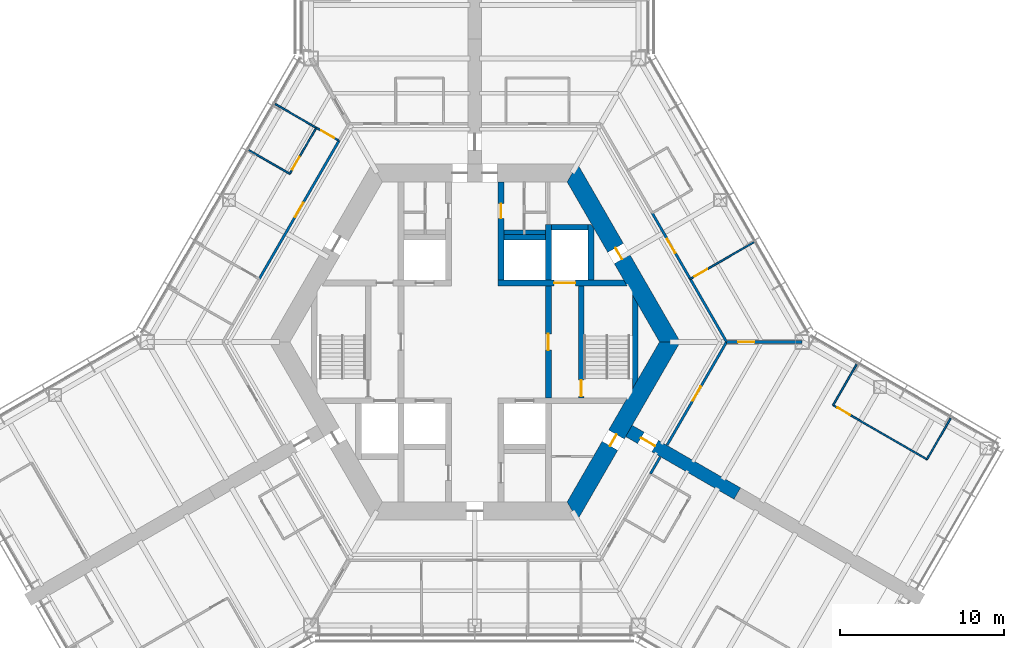
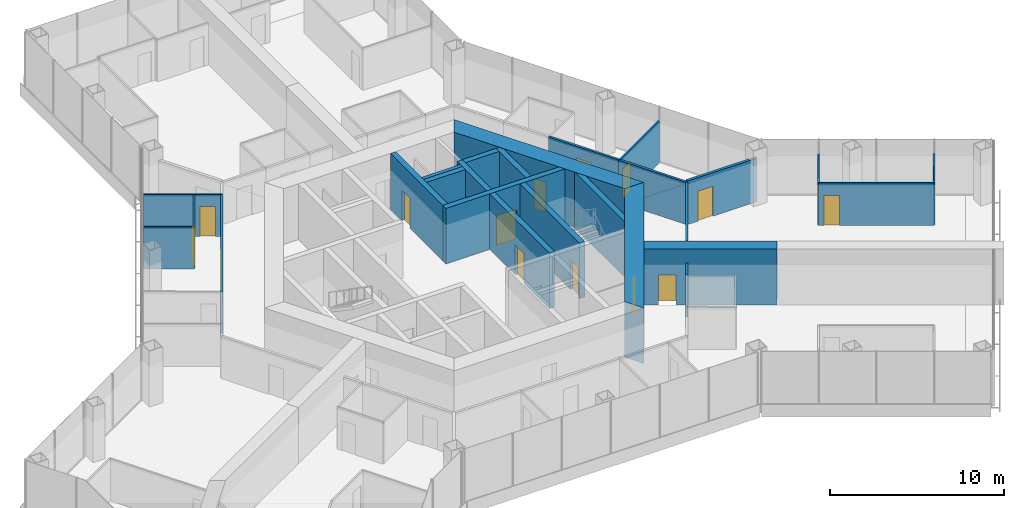
# One storey, part 14 of 19: 27 walls, 15 doors, 15 openings.
"""IFC4 building model written with IfcOpenShell, lengths in metres."""

import ifcopenshell
import ifcopenshell.guid

model = None  # the IFC model being written
_history = None  # IfcOwnerHistory: only IFC2X3 demands one
_inside = {}  # id of a spatial element -> (the spatial element, [elements in it])
_under = {}  # id of a project, library or spatial element -> (it, [spatial elements below it])
_declared = {}  # id of a project -> (the project, [libraries it declares])
_typed = {}  # id of a type object -> (the type object, [elements of that type])
_made_of = {}  # id of a material, layer set ... -> (it, [elements and type objects made of it])


def new_model(schema):
    """Start an empty IFC model of exactly this schema.

    Asked for "IFC4X3", IfcOpenShell would pick the latest addendum, in which some entities
    have other attributes; the version numbers below select the first issue.
    IFC2X3 requires an IfcOwnerHistory on every rooted entity: one is made here for all.
    """
    global model, _history
    if schema == "IFC4X3":
        model = ifcopenshell.file(schema_version=(4, 3, 0, 0))
    else:
        model = ifcopenshell.file(schema=schema)
    _inside.clear()
    _under.clear()
    _declared.clear()
    _typed.clear()
    _made_of.clear()
    _history = None
    if model.schema == "IFC2X3":
        org = make("IfcOrganization", Name="unknown")
        user = make(
            "IfcPersonAndOrganization",
            ThePerson=make("IfcPerson", FamilyName="unknown"),
            TheOrganization=org,
        )
        app = make(
            "IfcApplication",
            ApplicationDeveloper=org,
            Version="unknown",
            ApplicationFullName="unknown",
            ApplicationIdentifier="unknown",
        )
        _history = make(
            "IfcOwnerHistory",
            OwningUser=user,
            OwningApplication=app,
            ChangeAction="ADDED",
            CreationDate=0,
        )
    return model


def make(cls, **values):
    """One entity of the class cls with the attributes given. An attribute that is None is left unset."""
    return model.create_entity(
        cls, **{name: value for name, value in values.items() if value is not None}
    )


def rooted(cls, **values):
    """An entity with a GlobalId (a new one), such as an element, a storey or a relation."""
    return make(cls, GlobalId=ifcopenshell.guid.new(), OwnerHistory=_history, **values)


def si_unit(unit_type, name, prefix=None):
    """IfcSIUnit, for example si_unit("LENGTHUNIT", "METRE", prefix="MILLI")."""
    return make("IfcSIUnit", UnitType=unit_type, Prefix=prefix, Name=name)


def assignment(units):
    """IfcUnitAssignment: the units of a project."""
    return None if units is None else make("IfcUnitAssignment", Units=units)


def point(xyz):
    """IfcCartesianPoint."""
    return None if xyz is None else make("IfcCartesianPoint", Coordinates=xyz)


def direction(xyz):
    """IfcDirection."""
    return None if xyz is None else make("IfcDirection", DirectionRatios=xyz)


def frame(location, z_axis=None, x_axis=None):
    """IfcAxis2Placement3D, a coordinate frame: its origin and axes. An axis left out is left unset."""
    return make(
        "IfcAxis2Placement3D",
        Location=point(location),
        Axis=direction(z_axis),
        RefDirection=direction(x_axis),
    )


def frame_2d(location, x_axis=None):
    """IfcAxis2Placement2D, a coordinate frame in the plane: its origin and x axis."""
    return make(
        "IfcAxis2Placement2D", Location=point(location), RefDirection=direction(x_axis)
    )


def origin():
    """The frame at (0, 0, 0) with its axes left unset."""
    return frame((0.0, 0.0, 0.0))


def place(relative_to, where):
    """IfcLocalPlacement: puts the frame where relative to a parent placement (None: the world)."""
    return make(
        "IfcLocalPlacement", PlacementRelTo=relative_to, RelativePlacement=where
    )


def context(
    kind, dimensions, precision=None, world=None, true_north=None, identifier=None
):
    """IfcGeometricRepresentationContext, for example the 3D "Model" context."""
    return make(
        "IfcGeometricRepresentationContext",
        ContextIdentifier=identifier,
        ContextType=kind,
        CoordinateSpaceDimension=dimensions,
        Precision=precision,
        WorldCoordinateSystem=world,
        TrueNorth=true_north,
    )


def subcontext(parent, identifier, kind, view, scale=None):
    """IfcGeometricRepresentationSubContext, for example "Body" below "Model"."""
    return make(
        "IfcGeometricRepresentationSubContext",
        ContextIdentifier=identifier,
        ContextType=kind,
        ParentContext=parent,
        TargetScale=scale,
        TargetView=view,
    )


def project(units=None, contexts=None):
    """IfcProject with its units and contexts."""
    return rooted(
        "IfcProject",
        Name="project",
        RepresentationContexts=contexts,
        UnitsInContext=assignment(units),
    )


def spatial(cls, under=None, at=None, **own):
    """A site, building, storey or space (cls), placed at a placement, below another one or the project."""
    s = rooted(cls, ObjectPlacement=at, **own)
    if under is not None:
        _under.setdefault(under.id(), (under, []))[1].append(s)
    return s


def polyline(points):
    """IfcPolyline through the points."""
    return make("IfcPolyline", Points=[point(p) for p in points])


def profile(cls, at=None, kind="AREA", **sizes):
    """A parametric profile (cls). Its sizes go by their IFC names, for example OverallWidth=200.0."""
    return make(cls, ProfileType=kind, Position=at, **sizes)


def rectangle(**sizes):
    """IfcRectangleProfileDef."""
    return profile("IfcRectangleProfileDef", **sizes)


def outline(outer, holes=None, kind="AREA"):
    """IfcArbitraryClosedProfileDef: a profile drawn as a closed curve; with holes, ...WithVoids."""
    if holes is None:
        return make("IfcArbitraryClosedProfileDef", ProfileType=kind, OuterCurve=outer)
    return make(
        "IfcArbitraryProfileDefWithVoids",
        ProfileType=kind,
        OuterCurve=outer,
        InnerCurves=holes,
    )


def extrude(swept, where, along, depth):
    """IfcExtrudedAreaSolid: the profile swept, set in the frame where, extruded along a direction by depth."""
    return make(
        "IfcExtrudedAreaSolid",
        SweptArea=swept,
        Position=where,
        ExtrudedDirection=direction(along),
        Depth=depth,
    )


def shape(context_of_items, identifier, shape_type, items):
    """IfcShapeRepresentation: the items that make up one representation, for example the "Body"."""
    return make(
        "IfcShapeRepresentation",
        ContextOfItems=context_of_items,
        RepresentationIdentifier=identifier,
        RepresentationType=shape_type,
        Items=items,
    )


def material(Name=None, Category=None):
    """IfcMaterial."""
    return make("IfcMaterial", Name=Name, Category=Category)


def layer(
    of_material, thickness, ventilated=None, Name=None, Category=None, Priority=None
):
    """IfcMaterialLayer: one layer of a wall or slab, of a material (None: an air gap)."""
    return make(
        "IfcMaterialLayer",
        Material=of_material,
        LayerThickness=thickness,
        IsVentilated=ventilated,
        Name=Name,
        Category=Category,
        Priority=Priority,
    )


def layer_set(layers, Name=None):
    """IfcMaterialLayerSet."""
    return make("IfcMaterialLayerSet", MaterialLayers=layers, LayerSetName=Name)


def made_of(thing, what):
    """Note that an element or type object is made of a material, layer set ...; save() writes the relation."""
    if what is not None:
        _made_of.setdefault(what.id(), (what, []))[1].append(thing)
    return thing


def type_object(cls, material=None, **own):
    """A type object (cls), such as IfcWallType, which elements share."""
    return made_of(rooted(cls, **own), material)


def element(
    cls,
    number,
    at=None,
    inside=None,
    cuts=None,
    type_object=None,
    material=None,
    context=None,
    identifier="Body",
    shape_type=None,
    held_by="IfcProductDefinitionShape",
    body=None,
    shapes=None,
    **own,
):
    """One element of the class cls, such as IfcWall. Its Tag is "e" and its number.

    at: its placement. inside: the storey or other place that contains it. cuts: it is an
    opening in that element (IfcRelVoidsElement). A single representation is given by context,
    identifier, shape_type and body (its items); several are given by shapes. held_by: the class
    of the entity that holds the representations. save() writes the other relations.
    """
    e = rooted(cls, Tag="e%d" % number, ObjectPlacement=at, **own)
    if body is not None:
        shapes = [shape(context, identifier, shape_type, body)]
    if shapes is not None:
        e.Representation = make(held_by, Representations=shapes)
    if inside is not None:
        _inside.setdefault(inside.id(), (inside, []))[1].append(e)
    if cuts is not None:
        rooted(
            "IfcRelVoidsElement", RelatingBuildingElement=cuts, RelatedOpeningElement=e
        )
    if type_object is not None:
        _typed.setdefault(type_object.id(), (type_object, []))[1].append(e)
    return made_of(e, material)


def fill(opening, filler):
    """IfcRelFillsElement: the door or window that sits in an opening."""
    return rooted(
        "IfcRelFillsElement",
        RelatingOpeningElement=opening,
        RelatedBuildingElement=filler,
    )


def aggregate(whole, parts):
    """IfcRelAggregates: a whole, such as a stair, and the parts it consists of."""
    return rooted("IfcRelAggregates", RelatingObject=whole, RelatedObjects=parts)


def save(model, path):
    """Write the relations noted so far, then the file.

    IfcRelAggregates (storeys below a building ...), IfcRelContainedInSpatialStructure (elements
    in a storey), IfcRelDefinesByType, IfcRelAssociatesMaterial and IfcRelDeclares: one each for
    every whole, place, type object, material and project.
    """
    for whole, parts in _under.values():
        aggregate(whole, parts)
    for where, things in _inside.values():
        rooted(
            "IfcRelContainedInSpatialStructure",
            RelatedElements=things,
            RelatingStructure=where,
        )
    for kind, things in _typed.values():
        rooted("IfcRelDefinesByType", RelatedObjects=things, RelatingType=kind)
    for what, things in _made_of.values():
        rooted("IfcRelAssociatesMaterial", RelatedObjects=things, RelatingMaterial=what)
    for by, libraries in _declared.values():
        rooted("IfcRelDeclares", RelatingContext=by, RelatedDefinitions=libraries)
    model.write(path)


model = new_model("IFC4")

# Units and contexts
model_context = context("Model", 3, precision=1e-05, world=origin(), true_north=direction((0.0, 1.0)))
body_context = subcontext(model_context, "Body", "Model", "MODEL_VIEW")
ifc_project = project(units=[si_unit("LENGTHUNIT", "METRE"), si_unit("AREAUNIT", "SQUARE_METRE"), si_unit("VOLUMEUNIT", "CUBIC_METRE"), si_unit("PLANEANGLEUNIT", "RADIAN"), si_unit("MASSUNIT", "GRAM", prefix="KILO")], contexts=[model_context])

# Site, building, storey
site_placement = place(None, origin())
site = spatial("IfcSite", under=ifc_project, at=site_placement, CompositionType="ELEMENT")
building_placement = place(site_placement, origin())
building = spatial("IfcBuilding", under=site, at=building_placement, Name="Kasaneha Research Tower", CompositionType="ELEMENT")
storey_placement = place(building_placement, frame((0.0, 0.0, 88.5)))
storey = spatial("IfcBuildingStorey", under=building, at=storey_placement, Name="L22", CompositionType="ELEMENT", Elevation=88.5)

# Wall, opening, door
ifc_material_1 = material(Name="Concrete Fc80", Category="concrete")
ifc_layer_1 = layer(ifc_material_1, 0.35009765625)
ifc_layer_set_1 = layer_set([ifc_layer_1], Name="Core internal wall 350 Fc80")
wall_type_1 = type_object("IfcWallType", Name="Core internal wall 350 Fc80", PredefinedType="SHEAR", material=ifc_layer_set_1)
wall_1_placement = place(storey_placement, frame((1.425048828125, 3.60009765625, 0.0), z_axis=(0.0, 0.0, 1.0), x_axis=(1.0, 0.0, 0.0)))
wall_1 = element("IfcWall", 1, at=wall_1_placement, inside=storey, type_object=wall_type_1, Name="Core wall W1E L22", PredefinedType="SHEAR", context=body_context, shape_type="SweptSolid", body=[
    extrude(outline(polyline([(0.0, -0.175048828125), (3.425048828125, -0.175048828125), (4.72509765625, -0.175048828125), (7.884765625, -0.175048828125), (7.6826171875, 0.175048828125), (4.72509765625, 0.175048828125), (3.425048828125, 0.175048828125), (0.0, 0.175048828125), (0.0, -0.175048828125)])), origin(), (0.0, 0.0, 1.0), 3.89990234375),
])
opening_1_placement = place(wall_1_placement, frame((3.425048828125, 0.0, 0.0)))
opening_1 = element("IfcOpeningElement", 2, at=opening_1_placement, cuts=wall_1, Name="Opening LD-FL1-L22", PredefinedType="OPENING", context=body_context, shape_type="SweptSolid", body=[
    extrude(rectangle(XDim=1.300048828125, YDim=2.10009765625, at=frame_2d((0.64990234375, 1.050048828125))), frame((0.0, 0.18505859375, 0.0), z_axis=(0.0, -1.0, 0.0), x_axis=(1.0, 0.0, 0.0)), (0.0, 0.0, 1.0), 0.3701171875),
])
ifc_material_2 = material(Name="Steel", Category="steel")
door_type_1 = type_object("IfcDoorType", Name="Lift landing door 1300x2100", OperationType="DOUBLE_DOOR_SLIDING", PredefinedType="DOOR", material=ifc_material_2)
door_1_placement = place(opening_1_placement, origin())
door_1 = element("IfcDoor", 3, at=door_1_placement, inside=storey, type_object=door_type_1, Name="Landing door FL1 LD-FL1-L22", OperationType="DOUBLE_DOOR_SLIDING", OverallHeight=2.10009765625, OverallWidth=1.300048828125, PredefinedType="DOOR", context=body_context, shape_type="SweptSolid", body=[
    extrude(rectangle(XDim=1.300048828125, YDim=2.10009765625, at=frame_2d((0.64990234375, 1.050048828125))), frame((0.0, 0.02490234375, 0.0), z_axis=(0.0, -1.0, 0.0), x_axis=(1.0, 0.0, 0.0)), (0.0, 0.0, 1.0), 0.050048828125),
])
fill(opening_1, door_1)

wall_2_placement = place(storey_placement, frame((1.60009765625, 3.77490234375, 0.0), z_axis=(0.0, 0.0, 1.0), x_axis=(0.0, 1.0, 0.0)))
wall_2 = element("IfcWall", 4, at=wall_2_placement, inside=storey, type_object=wall_type_1, Name="Core wall CNE L22", PredefinedType="SHEAR", context=body_context, shape_type="SweptSolid", body=[
    extrude(rectangle(XDim=6.0, YDim=0.35009765625, at=frame_2d((3.0, 0.0))), origin(), (0.0, 0.0, 1.0), 3.89990234375),
])
opening_2_placement = place(wall_2_placement, frame((3.77490234375, 0.0, 0.0)))
opening_2 = element("IfcOpeningElement", 5, at=opening_2_placement, cuts=wall_2, Name="Opening L22-D14", PredefinedType="OPENING", context=body_context, shape_type="SweptSolid", body=[
    extrude(rectangle(XDim=0.89990234375, YDim=2.10009765625, at=frame_2d((0.449951171875, 1.050048828125))), frame((0.0, 0.18505859375, 0.0), z_axis=(0.0, -1.0, 0.0), x_axis=(1.0, 0.0, 0.0)), (0.0, 0.0, 1.0), 0.3701171875),
])
ifc_material_3 = material(Name="Steel", Category="steel")
door_type_2 = type_object("IfcDoorType", Name="Toilet door FD20 900x2100", OperationType="NOTDEFINED", PredefinedType="DOOR", material=ifc_material_3)
door_2_placement = place(opening_2_placement, origin())
door_2 = element("IfcDoor", 6, at=door_2_placement, inside=storey, type_object=door_type_2, Name="Women's WC door L22-D14", OperationType="SINGLE_SWING_LEFT", OverallHeight=2.10009765625, OverallWidth=0.89990234375, PredefinedType="DOOR", context=body_context, shape_type="SweptSolid", body=[
    extrude(rectangle(XDim=0.89990234375, YDim=2.10009765625, at=frame_2d((0.449951171875, 1.050048828125))), frame((0.0, 0.02490234375, 0.0), z_axis=(0.0, -1.0, 0.0), x_axis=(1.0, 0.0, 0.0)), (0.0, 0.0, 1.0), 0.050048828125),
])
fill(opening_2, door_2)

wall_3_placement = place(storey_placement, frame((4.5, -3.425048828125, 0.0), z_axis=(0.0, 0.0, 1.0), x_axis=(0.0, 1.0, 0.0)))
wall_3 = element("IfcWall", 7, at=wall_3_placement, inside=storey, type_object=wall_type_1, Name="Core wall LBE L22", PredefinedType="SHEAR", context=body_context, shape_type="SweptSolid", body=[
    extrude(rectangle(XDim=6.85009765625, YDim=0.35009765625, at=frame_2d((3.425048828125, 0.0))), origin(), (0.0, 0.0, 1.0), 3.89990234375),
])
opening_3_placement = place(wall_3_placement, frame((2.925048828125, 0.0, 0.0)))
opening_3 = element("IfcOpeningElement", 8, at=opening_3_placement, cuts=wall_3, Name="Opening L22-D08", PredefinedType="OPENING", context=body_context, shape_type="SweptSolid", body=[
    extrude(rectangle(XDim=1.0, YDim=2.10009765625, at=frame_2d((0.5, 1.050048828125))), frame((0.0, 0.18505859375, 0.0), z_axis=(0.0, -1.0, 0.0), x_axis=(1.0, 0.0, 0.0)), (0.0, 0.0, 1.0), 0.3701171875),
])
ifc_material_4 = material(Name="Steel", Category="steel")
door_type_3 = type_object("IfcDoorType", Name="Specified fire door FD60 1000x2100", OperationType="NOTDEFINED", PredefinedType="DOOR", material=ifc_material_4)
door_3_placement = place(opening_3_placement, origin())
door_3 = element("IfcDoor", 9, at=door_3_placement, inside=storey, type_object=door_type_3, Name="Lift lobby door east L22-D08", OperationType="SINGLE_SWING_LEFT", OverallHeight=2.10009765625, OverallWidth=1.0, PredefinedType="DOOR", context=body_context, shape_type="SweptSolid", body=[
    extrude(rectangle(XDim=1.0, YDim=2.10009765625, at=frame_2d((0.5, 1.050048828125))), frame((0.0, 0.02490234375, 0.0), z_axis=(0.0, -1.0, 0.0), x_axis=(1.0, 0.0, 0.0)), (0.0, 0.0, 1.0), 0.050048828125),
])
fill(opening_3, door_3)

wall_4_placement = place(storey_placement, frame((6.5, -3.425048828125, 0.0), z_axis=(0.0, 0.0, 1.0), x_axis=(0.0, 1.0, 0.0)))
wall_4 = element("IfcWall", 10, at=wall_4_placement, inside=storey, type_object=wall_type_1, Name="Core wall ANE L22", PredefinedType="SHEAR", context=body_context, shape_type="SweptSolid", body=[
    extrude(rectangle(XDim=6.85009765625, YDim=0.35009765625, at=frame_2d((3.425048828125, 0.0))), origin(), (0.0, 0.0, 1.0), 3.89990234375),
])
opening_4_placement = place(wall_4_placement, frame((0.10009765625, 0.0, 0.0)))
opening_4 = element("IfcOpeningElement", 11, at=opening_4_placement, cuts=wall_4, Name="Opening L22-D10", PredefinedType="OPENING", context=body_context, shape_type="SweptSolid", body=[
    extrude(rectangle(XDim=1.0, YDim=2.10009765625, at=frame_2d((0.5, 1.050048828125))), frame((0.0, 0.18505859375, 0.0), z_axis=(0.0, -1.0, 0.0), x_axis=(1.0, 0.0, 0.0)), (0.0, 0.0, 1.0), 0.3701171875),
])
door_4_placement = place(opening_4_placement, origin())
door_4 = element("IfcDoor", 12, at=door_4_placement, inside=storey, type_object=door_type_3, Name="Stair 1 door L22-D10", OperationType="SINGLE_SWING_LEFT", OverallHeight=2.10009765625, OverallWidth=1.0, PredefinedType="DOOR", context=body_context, shape_type="SweptSolid", body=[
    extrude(rectangle(XDim=1.0, YDim=2.10009765625, at=frame_2d((0.5, 1.050048828125))), frame((0.0, 0.02490234375, 0.0), z_axis=(0.0, -1.0, 0.0), x_axis=(1.0, 0.0, 0.0)), (0.0, 0.0, 1.0), 0.050048828125),
])
fill(opening_4, door_4)

# Walls
wall_5_placement = place(storey_placement, frame((4.5, 3.77490234375, 0.0), z_axis=(0.0, 0.0, 1.0), x_axis=(0.0, 1.0, 0.0)))
element("IfcWall", 13, at=wall_5_placement, inside=storey, type_object=wall_type_1, Name="Core wall FNE L22", PredefinedType="SHEAR", context=body_context, shape_type="SweptSolid", body=[
    extrude(rectangle(XDim=3.400146484375, YDim=0.35009765625, at=frame_2d((1.7001953125, 0.0))), origin(), (0.0, 0.0, 1.0), 3.89990234375),
])
wall_6_placement = place(storey_placement, frame((1.77490234375, 6.39990234375, 0.0), z_axis=(0.0, 0.0, 1.0), x_axis=(1.0, 0.0, 0.0)))
element("IfcWall", 14, at=wall_6_placement, inside=storey, type_object=wall_type_1, Name="Core wall N3N L22", PredefinedType="SHEAR", context=body_context, shape_type="SweptSolid", body=[
    extrude(rectangle(XDim=2.550048828125, YDim=0.35009765625, at=frame_2d((1.27490234375, 0.0))), origin(), (0.0, 0.0, 1.0), 3.89990234375),
])
wall_7_placement = place(storey_placement, frame((4.675048828125, 7.0, 0.0), z_axis=(0.0, 0.0, 1.0), x_axis=(1.0, 0.0, 0.0)))
element("IfcWall", 15, at=wall_7_placement, inside=storey, type_object=wall_type_1, Name="Core wall F1N L22", PredefinedType="SHEAR", context=body_context, shape_type="SweptSolid", body=[
    extrude(rectangle(XDim=2.25, YDim=0.35009765625, at=frame_2d((1.125, 0.0))), origin(), (0.0, 0.0, 1.0), 3.89990234375),
])
wall_8_placement = place(storey_placement, frame((7.10009765625, 3.77490234375, 0.0), z_axis=(0.0, 0.0, 1.0), x_axis=(0.0, 1.0, 0.0)))
element("IfcWall", 16, at=wall_8_placement, inside=storey, type_object=wall_type_1, Name="Core wall F1E L22", PredefinedType="SHEAR", context=body_context, shape_type="SweptSolid", body=[
    extrude(outline(polyline([(0.0, -0.175048828125), (3.174560546875, -0.175048828125), (3.400146484375, 0.0), (3.400146484375, 0.175048828125), (0.0, 0.175048828125), (0.0, -0.175048828125)])), origin(), (0.0, 0.0, 1.0), 3.89990234375),
])
wall_9_placement = place(storey_placement, frame((9.807861328125, -2.562255859375, 0.0), z_axis=(0.0, 0.0, 1.0), x_axis=(0.0, 1.0, 0.0)))
element("IfcWall", 17, at=wall_9_placement, inside=storey, type_object=wall_type_1, Name="Core wall STE L22", PredefinedType="SHEAR", context=body_context, shape_type="SweptSolid", body=[
    extrude(outline(polyline([(0.30322265625, -0.175048828125), (4.8212890625, -0.175048828125), (5.427734375, 0.175048828125), (-0.30322265625, 0.175048828125), (0.30322265625, -0.175048828125)])), origin(), (0.0, 0.0, 1.0), 3.89990234375),
])

# Wall, opening, door
ifc_material_5 = material(Name="Concrete Fc80", Category="concrete")
ifc_layer_2 = layer(ifc_material_5, 1.10009765625)
ifc_layer_set_2 = layer_set([ifc_layer_2], Name="Core wall 1100 Fc80")
wall_type_2 = type_object("IfcWallType", Name="Core wall 1100 Fc80", PredefinedType="SHEAR", material=ifc_layer_set_2)
wall_10_placement = place(storey_placement, frame((11.92236328125, 0.0, 0.0), z_axis=(0.0, 0.0, 1.0), x_axis=(-0.500004296715, 0.866022923061, 0.0)))
wall_10 = element("IfcWall", 18, at=wall_10_placement, inside=storey, type_object=wall_type_2, Name="Core wall 030 L22", PredefinedType="SHEAR", context=body_context, shape_type="SweptSolid", body=[
    extrude(outline(polyline([(-0.317626953125, -0.550048828125), (5.83544921875, -0.550048828125), (6.635498046875, -0.550048828125), (12.239990234375, -0.550048828125), (11.604736328125, 0.550048828125), (6.635498046875, 0.550048828125), (5.83544921875, 0.550048828125), (0.317626953125, 0.550048828125), (-0.317626953125, -0.550048828125)])), origin(), (0.0, 0.0, 1.0), 3.89990234375),
])
opening_5_placement = place(wall_10_placement, frame((5.83544921875, 0.0, 0.0)))
opening_5 = element("IfcOpeningElement", 19, at=opening_5_placement, cuts=wall_10, Name="Opening L22-D04", PredefinedType="OPENING", context=body_context, shape_type="SweptSolid", body=[
    extrude(rectangle(XDim=0.800048828125, YDim=2.10009765625, at=frame_2d((0.39990234375, 1.050048828125))), frame((0.0, 0.56005859375, 0.0), z_axis=(0.0, -1.0, 0.0), x_axis=(1.0, 0.0, 0.0)), (0.0, 0.0, 1.0), 1.1201171875),
])
ifc_material_6 = material(Name="Steel", Category="steel")
door_type_4 = type_object("IfcDoorType", Name="Riser access door FD60 800x2100", OperationType="NOTDEFINED", PredefinedType="DOOR", material=ifc_material_6)
door_5_placement = place(opening_5_placement, origin())
door_5 = element("IfcDoor", 20, at=door_5_placement, inside=storey, type_object=door_type_4, Name="Pipe riser door L22-D04", OperationType="SINGLE_SWING_RIGHT", OverallHeight=2.10009765625, OverallWidth=0.800048828125, PredefinedType="DOOR", context=body_context, shape_type="SweptSolid", body=[
    extrude(rectangle(XDim=0.800048828125, YDim=2.10009765625, at=frame_2d((0.39990234375, 1.050048828125))), frame((0.0, 0.02490234375, 0.0), z_axis=(0.0, -1.0, 0.0), x_axis=(1.0, 0.0, 0.0)), (0.0, 0.0, 1.0), 0.050048828125),
])
fill(opening_5, door_5)

wall_11_placement = place(storey_placement, frame((5.961181640625, -10.324951171875, 0.0), z_axis=(0.0, 0.0, 1.0), x_axis=(0.500004296715, 0.866022923061, 0.0)))
wall_11 = element("IfcWall", 21, at=wall_11_placement, inside=storey, type_object=wall_type_2, Name="Core wall 330 L22", PredefinedType="SHEAR", context=body_context, shape_type="SweptSolid", body=[
    extrude(outline(polyline([(-0.317626953125, -0.550048828125), (4.593994140625, -0.550048828125), (5.39404296875, -0.550048828125), (12.239990234375, -0.550048828125), (11.604736328125, 0.550048828125), (5.39404296875, 0.550048828125), (4.593994140625, 0.550048828125), (0.317626953125, 0.550048828125), (-0.317626953125, -0.550048828125)])), origin(), (0.0, 0.0, 1.0), 3.89990234375),
])
opening_6_placement = place(wall_11_placement, frame((4.593994140625, 0.0, 0.0)))
opening_6 = element("IfcOpeningElement", 22, at=opening_6_placement, cuts=wall_11, Name="Opening L22-D05", PredefinedType="OPENING", context=body_context, shape_type="SweptSolid", body=[
    extrude(rectangle(XDim=0.800048828125, YDim=2.10009765625, at=frame_2d((0.39990234375, 1.050048828125))), frame((0.0, 0.56005859375, 0.0), z_axis=(0.0, -1.0, 0.0), x_axis=(1.0, 0.0, 0.0)), (0.0, 0.0, 1.0), 1.1201171875),
])
door_6_placement = place(opening_6_placement, origin())
door_6 = element("IfcDoor", 23, at=door_6_placement, inside=storey, type_object=door_type_4, Name="Pipe riser door L22-D05", OperationType="SINGLE_SWING_LEFT", OverallHeight=2.10009765625, OverallWidth=0.800048828125, PredefinedType="DOOR", context=body_context, shape_type="SweptSolid", body=[
    extrude(rectangle(XDim=0.800048828125, YDim=2.10009765625, at=frame_2d((0.39990234375, 1.050048828125))), frame((0.0, 0.02490234375, 0.0), z_axis=(0.0, -1.0, 0.0), x_axis=(1.0, 0.0, 0.0)), (0.0, 0.0, 1.0), 0.050048828125),
])
fill(opening_6, door_6)

ifc_material_7 = material(Name="Gypsum board on steel studs, one layer each side", Category="steel")
ifc_layer_3 = layer(ifc_material_7, 0.10009765625)
ifc_layer_set_3 = layer_set([ifc_layer_3], Name="Office partition 100")
wall_type_3 = type_object("IfcWallType", Name="Office partition 100", PredefinedType="PARTITIONING", material=ifc_layer_set_3)
wall_12_placement = place(storey_placement, frame((13.165283203125, 3.84716796875, 0.0), z_axis=(0.0, 0.0, 1.0), x_axis=(0.865513030745, 0.500886407891, 0.0)))
wall_12 = element("IfcWall", 24, at=wall_12_placement, inside=storey, type_object=wall_type_3, Name="Office partition FAE14 L22", PredefinedType="PARTITIONING", context=body_context, shape_type="SweptSolid", body=[
    extrude(rectangle(XDim=4.495361328125, YDim=0.10009765625, at=frame_2d((2.24755859375, 0.0))), origin(), (0.0, 0.0, 1.0), 2.949951171875),
])
opening_7_placement = place(wall_12_placement, frame((0.300048828125, 0.0, 0.0)))
opening_7 = element("IfcOpeningElement", 25, at=opening_7_placement, cuts=wall_12, Name="Opening L22-D31", PredefinedType="OPENING", context=body_context, shape_type="SweptSolid", body=[
    extrude(rectangle(XDim=0.89990234375, YDim=2.10009765625, at=frame_2d((0.449951171875, 1.050048828125))), frame((0.0, 0.06005859375, 0.0), z_axis=(0.0, -1.0, 0.0), x_axis=(1.0, 0.0, 0.0)), (0.0, 0.0, 1.0), 0.1201171875),
])
ifc_material_8 = material(Name="Timber veneer", Category="wood")
door_type_5 = type_object("IfcDoorType", Name="Office door 900x2100", OperationType="SINGLE_SWING_LEFT", PredefinedType="DOOR", material=ifc_material_8)
door_7_placement = place(opening_7_placement, origin())
door_7 = element("IfcDoor", 26, at=door_7_placement, inside=storey, type_object=door_type_5, Name="Manager's office door L22-D31", OperationType="SINGLE_SWING_LEFT", OverallHeight=2.10009765625, OverallWidth=0.89990234375, PredefinedType="DOOR", context=body_context, shape_type="SweptSolid", body=[
    extrude(rectangle(XDim=0.89990234375, YDim=2.10009765625, at=frame_2d((0.449951171875, 1.050048828125))), frame((0.0, 0.02490234375, 0.0), z_axis=(0.0, -1.0, 0.0), x_axis=(1.0, 0.0, 0.0)), (0.0, 0.0, 1.0), 0.050048828125),
])
fill(opening_7, door_7)

# Walls
wall_13_placement = place(storey_placement, frame((-12.1865234375, 14.533203125, 0.0), z_axis=(0.0, 0.0, 1.0), x_axis=(0.865164881237, -0.501487515572, 0.0)))
element("IfcWall", 27, at=wall_13_placement, inside=storey, type_object=wall_type_3, Name="Office partition FBN06 L22", PredefinedType="PARTITIONING", context=body_context, shape_type="SweptSolid", body=[
    extrude(rectangle(XDim=2.900146484375, YDim=0.10009765625, at=frame_2d((1.4501953125, 0.0))), origin(), (0.0, 0.0, 1.0), 2.949951171875),
])
wall_14_placement = place(storey_placement, frame((-11.29833984375, 10.271728515625, 0.0), z_axis=(0.0, 0.0, 1.0), x_axis=(-0.866033125095, 0.499986626058, 0.0)))
element("IfcWall", 28, at=wall_14_placement, inside=storey, type_object=wall_type_3, Name="Office partition FBN07 L22", PredefinedType="PARTITIONING", context=body_context, shape_type="SweptSolid", body=[
    extrude(rectangle(XDim=2.8798828125, YDim=0.10009765625, at=frame_2d((1.43994140625, 0.0))), origin(), (0.0, 0.0, 1.0), 2.949951171875),
])

# Wall, opening, door
wall_15_placement = place(storey_placement, frame((-9.678955078125, 13.08544921875, 0.0), z_axis=(0.0, 0.0, 1.0), x_axis=(-0.498817248501, -0.866707189654, 0.0)))
wall_15 = element("IfcWall", 29, at=wall_15_placement, inside=storey, type_object=wall_type_3, Name="Office partition FBN08 L22", PredefinedType="PARTITIONING", context=body_context, shape_type="SweptSolid", body=[
    extrude(rectangle(XDim=3.246337890625, YDim=0.10009765625, at=frame_2d((1.623046875, 0.0))), origin(), (0.0, 0.0, 1.0), 2.949951171875),
])
opening_8_placement = place(wall_15_placement, frame((2.04638671875, 0.0, 0.0)))
opening_8 = element("IfcOpeningElement", 30, at=opening_8_placement, cuts=wall_15, Name="Opening L22-D41", PredefinedType="OPENING", context=body_context, shape_type="SweptSolid", body=[
    extrude(rectangle(XDim=0.89990234375, YDim=2.10009765625, at=frame_2d((0.449951171875, 1.050048828125))), frame((0.0, 0.06005859375, 0.0), z_axis=(0.0, -1.0, 0.0), x_axis=(1.0, 0.0, 0.0)), (0.0, 0.0, 1.0), 0.1201171875),
])
door_8_placement = place(opening_8_placement, origin())
door_8 = element("IfcDoor", 31, at=door_8_placement, inside=storey, type_object=door_type_5, Name="Interview room door L22-D41", OperationType="SINGLE_SWING_RIGHT", OverallHeight=2.10009765625, OverallWidth=0.89990234375, PredefinedType="DOOR", context=body_context, shape_type="SweptSolid", body=[
    extrude(rectangle(XDim=0.89990234375, YDim=2.10009765625, at=frame_2d((0.449951171875, 1.050048828125))), frame((0.0, 0.02490234375, 0.0), z_axis=(0.0, -1.0, 0.0), x_axis=(1.0, 0.0, 0.0)), (0.0, 0.0, 1.0), 0.050048828125),
])
fill(opening_8, door_8)

wall_16_placement = place(storey_placement, frame((-8.291015625, 12.289306640625, 0.0), z_axis=(0.0, 0.0, 1.0), x_axis=(-0.867425068062, 0.497567835875, 0.0)))
wall_16 = element("IfcWall", 32, at=wall_16_placement, inside=storey, type_object=wall_type_3, Name="Office partition FBN13 L22", PredefinedType="PARTITIONING", context=body_context, shape_type="SweptSolid", body=[
    extrude(rectangle(XDim=1.60009765625, YDim=0.10009765625, at=frame_2d((0.800048828125, 0.0))), origin(), (0.0, 0.0, 1.0), 2.949951171875),
])
opening_9_placement = place(wall_16_placement, frame((0.35009765625, 0.0, 0.0)))
opening_9 = element("IfcOpeningElement", 33, at=opening_9_placement, cuts=wall_16, Name="Opening L22-D44", PredefinedType="OPENING", context=body_context, shape_type="SweptSolid", body=[
    extrude(rectangle(XDim=0.89990234375, YDim=2.10009765625, at=frame_2d((0.449951171875, 1.050048828125))), frame((0.0, 0.06005859375, 0.0), z_axis=(0.0, -1.0, 0.0), x_axis=(1.0, 0.0, 0.0)), (0.0, 0.0, 1.0), 0.1201171875),
])
door_9_placement = place(opening_9_placement, origin())
door_9 = element("IfcDoor", 34, at=door_9_placement, inside=storey, type_object=door_type_5, Name="Workroom door L22-D44", OperationType="SINGLE_SWING_RIGHT", OverallHeight=2.10009765625, OverallWidth=0.89990234375, PredefinedType="DOOR", context=body_context, shape_type="SweptSolid", body=[
    extrude(rectangle(XDim=0.89990234375, YDim=2.10009765625, at=frame_2d((0.449951171875, 1.050048828125))), frame((0.0, 0.02490234375, 0.0), z_axis=(0.0, -1.0, 0.0), x_axis=(1.0, 0.0, 0.0)), (0.0, 0.0, 1.0), 0.050048828125),
])
fill(opening_9, door_9)

# Wall
wall_17_placement = place(storey_placement, frame((21.89208984375, -3.86376953125, 0.0), z_axis=(0.0, 0.0, 1.0), x_axis=(0.500050202324, 0.865996417519, 0.0)))
element("IfcWall", 35, at=wall_17_placement, inside=storey, type_object=wall_type_3, Name="Office partition FCE02 L22", PredefinedType="PARTITIONING", context=body_context, shape_type="SweptSolid", body=[
    extrude(rectangle(XDim=2.880126953125, YDim=0.10009765625, at=frame_2d((1.43994140625, 0.0))), origin(), (0.0, 0.0, 1.0), 2.949951171875),
])

# Wall, opening, door
wall_18_placement = place(storey_placement, frame((27.625, -7.173583984375, 0.0), z_axis=(0.0, 0.0, 1.0), x_axis=(-0.866030817826, 0.499990622488, 0.0)))
wall_18 = element("IfcWall", 36, at=wall_18_placement, inside=storey, type_object=wall_type_3, Name="Office partition FCE03 L22", PredefinedType="PARTITIONING", context=body_context, shape_type="SweptSolid", body=[
    extrude(rectangle(XDim=6.619873046875, YDim=0.10009765625, at=frame_2d((3.31005859375, 0.0))), origin(), (0.0, 0.0, 1.0), 2.949951171875),
])
opening_10_placement = place(wall_18_placement, frame((5.419677734375, 0.0, 0.0)))
opening_10 = element("IfcOpeningElement", 37, at=opening_10_placement, cuts=wall_18, Name="Opening L22-D50", PredefinedType="OPENING", context=body_context, shape_type="SweptSolid", body=[
    extrude(rectangle(XDim=0.89990234375, YDim=2.10009765625, at=frame_2d((0.449951171875, 1.050048828125))), frame((0.0, 0.06005859375, 0.0), z_axis=(0.0, -1.0, 0.0), x_axis=(1.0, 0.0, 0.0)), (0.0, 0.0, 1.0), 0.1201171875),
])
door_10_placement = place(opening_10_placement, origin())
door_10 = element("IfcDoor", 38, at=door_10_placement, inside=storey, type_object=door_type_5, Name="Reception room door L22-D50", OperationType="SINGLE_SWING_RIGHT", OverallHeight=2.10009765625, OverallWidth=0.89990234375, PredefinedType="DOOR", context=body_context, shape_type="SweptSolid", body=[
    extrude(rectangle(XDim=0.89990234375, YDim=2.10009765625, at=frame_2d((0.449951171875, 1.050048828125))), frame((0.0, 0.02490234375, 0.0), z_axis=(0.0, -1.0, 0.0), x_axis=(1.0, 0.0, 0.0)), (0.0, 0.0, 1.0), 0.050048828125),
])
fill(opening_10, door_10)

# Wall
wall_19_placement = place(storey_placement, frame((29.074951171875, -4.662109375, 0.0), z_axis=(0.0, 0.0, 1.0), x_axis=(-0.499987231761, -0.866032775405, 0.0)))
element("IfcWall", 39, at=wall_19_placement, inside=storey, type_object=wall_type_3, Name="Office partition FCE04 L22", PredefinedType="PARTITIONING", context=body_context, shape_type="SweptSolid", body=[
    extrude(rectangle(XDim=2.89990234375, YDim=0.10009765625, at=frame_2d((1.449951171875, 0.0))), origin(), (0.0, 0.0, 1.0), 2.949951171875),
])

# Wall, opening, door
ifc_material_9 = material(Name="Concrete Fc80", Category="concrete")
ifc_layer_4 = layer(ifc_material_9, 0.800048828125)
ifc_layer_set_4 = layer_set([ifc_layer_4], Name="Spine wall 800 Fc80")
wall_type_4 = type_object("IfcWallType", Name="Spine wall 800 Fc80", PredefinedType="SHEAR", material=ifc_layer_set_4)
wall_20_placement = place(storey_placement, frame((9.41796875, -5.4375, 0.0), z_axis=(0.0, 0.0, 1.0), x_axis=(0.866029782078, -0.499992416496, 0.0)))
wall_20 = element("IfcWall", 40, at=wall_20_placement, inside=storey, type_object=wall_type_4, Name="Spine wall C L22", PredefinedType="SHEAR", context=body_context, shape_type="SweptSolid", body=[
    extrude(rectangle(XDim=7.6455078125, YDim=0.800048828125, at=frame_2d((3.82275390625, 0.0))), origin(), (0.0, 0.0, 1.0), 3.89990234375),
])
opening_11_placement = place(wall_20_placement, frame((0.85009765625, 0.0, 0.0)))
opening_11 = element("IfcOpeningElement", 41, at=opening_11_placement, cuts=wall_20, Name="Opening L22-D19", PredefinedType="OPENING", context=body_context, shape_type="SweptSolid", body=[
    extrude(rectangle(XDim=1.0, YDim=2.10009765625, at=frame_2d((0.5, 1.050048828125))), frame((0.0, 0.41015625, 0.0), z_axis=(0.0, -1.0, 0.0), x_axis=(1.0, 0.0, 0.0)), (0.0, 0.0, 1.0), 0.820068359375),
])
door_11_placement = place(opening_11_placement, origin())
door_11 = element("IfcDoor", 42, at=door_11_placement, inside=storey, type_object=door_type_3, Name="Spine doorway C L22-D19", OperationType="SINGLE_SWING_LEFT", OverallHeight=2.10009765625, OverallWidth=1.0, PredefinedType="DOOR", context=body_context, shape_type="SweptSolid", body=[
    extrude(rectangle(XDim=1.0, YDim=2.10009765625, at=frame_2d((0.5, 1.050048828125))), frame((0.0, 0.02490234375, 0.0), z_axis=(0.0, -1.0, 0.0), x_axis=(1.0, 0.0, 0.0)), (0.0, 0.0, 1.0), 0.050048828125),
])
fill(opening_11, door_11)

# Wall
ifc_material_10 = material(Name="Gypsum board on steel studs, two layers each side", Category="steel")
ifc_layer_5 = layer(ifc_material_10, 0.14990234375)
ifc_layer_set_5 = layer_set([ifc_layer_5], Name="Suite partition 150")
wall_type_5 = type_object("IfcWallType", Name="Suite partition 150", PredefinedType="PARTITIONING", material=ifc_layer_set_5)
wall_21_placement = place(storey_placement, frame((13.160400390625, 3.85546875, 0.0), z_axis=(0.0, 0.0, 1.0), x_axis=(0.49999285859, -0.86602952684, 0.0)))
element("IfcWall", 43, at=wall_21_placement, inside=storey, type_object=wall_type_5, Name="Suite partition FAE03 L22", PredefinedType="PARTITIONING", context=body_context, shape_type="SweptSolid", body=[
    extrude(rectangle(XDim=4.4287109375, YDim=0.14990234375, at=frame_2d((2.21435546875, 0.0))), origin(), (0.0, 0.0, 1.0), 2.949951171875),
])

# Wall, opening, door
wall_22_placement = place(storey_placement, frame((10.837646484375, 7.87890625, 0.0), z_axis=(0.0, 0.0, 1.0), x_axis=(0.499985748238, -0.866033631887, 0.0)))
wall_22 = element("IfcWall", 44, at=wall_22_placement, inside=storey, type_object=wall_type_5, Name="Suite partition FAE07 L22", PredefinedType="PARTITIONING", context=body_context, shape_type="SweptSolid", body=[
    extrude(rectangle(XDim=4.655517578125, YDim=0.14990234375, at=frame_2d((2.32763671875, 0.0))), origin(), (0.0, 0.0, 1.0), 2.949951171875),
])
opening_12_placement = place(wall_22_placement, frame((1.82763671875, 0.0, 0.0)))
opening_12 = element("IfcOpeningElement", 45, at=opening_12_placement, cuts=wall_22, Name="Opening L22-D29", PredefinedType="OPENING", context=body_context, shape_type="SweptSolid", body=[
    extrude(rectangle(XDim=1.0, YDim=2.10009765625, at=frame_2d((0.5, 1.050048828125))), frame((0.0, 0.0849609375, 0.0), z_axis=(0.0, -1.0, 0.0), x_axis=(1.0, 0.0, 0.0)), (0.0, 0.0, 1.0), 0.169921875),
])
ifc_material_11 = material(Name="Steel", Category="steel")
door_type_6 = type_object("IfcDoorType", Name="Suite entrance door FD60 1000x2100", OperationType="NOTDEFINED", PredefinedType="DOOR", material=ifc_material_11)
door_12_placement = place(opening_12_placement, origin())
door_12 = element("IfcDoor", 46, at=door_12_placement, inside=storey, type_object=door_type_6, Name="Suite entrance door L22-D29", OperationType="SINGLE_SWING_LEFT", OverallHeight=2.10009765625, OverallWidth=1.0, PredefinedType="DOOR", context=body_context, shape_type="SweptSolid", body=[
    extrude(rectangle(XDim=1.0, YDim=2.10009765625, at=frame_2d((0.5, 1.050048828125))), frame((0.0, 0.02490234375, 0.0), z_axis=(0.0, -1.0, 0.0), x_axis=(1.0, 0.0, 0.0)), (0.0, 0.0, 1.0), 0.050048828125),
])
fill(opening_12, door_12)

wall_23_placement = place(storey_placement, frame((-13.165283203125, 3.84716796875, 0.0), z_axis=(0.0, 0.0, 1.0), x_axis=(0.500015121375, 0.866016673279, 0.0)))
wall_23 = element("IfcWall", 47, at=wall_23_placement, inside=storey, type_object=wall_type_5, Name="Suite partition FBN05 L22", PredefinedType="PARTITIONING", context=body_context, shape_type="SweptSolid", body=[
    extrude(rectangle(XDim=9.748291015625, YDim=0.14990234375, at=frame_2d((4.8740234375, 0.0))), origin(), (0.0, 0.0, 1.0), 2.949951171875),
])
opening_13_placement = place(wall_23_placement, frame((4.3740234375, 0.0, 0.0)))
opening_13 = element("IfcOpeningElement", 48, at=opening_13_placement, cuts=wall_23, Name="Opening L22-D40", PredefinedType="OPENING", context=body_context, shape_type="SweptSolid", body=[
    extrude(rectangle(XDim=1.0, YDim=2.10009765625, at=frame_2d((0.5, 1.050048828125))), frame((0.0, 0.0849609375, 0.0), z_axis=(0.0, -1.0, 0.0), x_axis=(1.0, 0.0, 0.0)), (0.0, 0.0, 1.0), 0.169921875),
])
door_13_placement = place(opening_13_placement, origin())
door_13 = element("IfcDoor", 49, at=door_13_placement, inside=storey, type_object=door_type_6, Name="Suite entrance door L22-D40", OperationType="SINGLE_SWING_LEFT", OverallHeight=2.10009765625, OverallWidth=1.0, PredefinedType="DOOR", context=body_context, shape_type="SweptSolid", body=[
    extrude(rectangle(XDim=1.0, YDim=2.10009765625, at=frame_2d((0.5, 1.050048828125))), frame((0.0, 0.02490234375, 0.0), z_axis=(0.0, -1.0, 0.0), x_axis=(1.0, 0.0, 0.0)), (0.0, 0.0, 1.0), 0.050048828125),
])
fill(opening_13, door_13)

wall_24_placement = place(storey_placement, frame((15.374755859375, -0.02001953125, 0.0), z_axis=(0.0, 0.0, 1.0), x_axis=(-0.499992569217, -0.866029693906, 0.0)))
wall_24 = element("IfcWall", 50, at=wall_24_placement, inside=storey, type_object=wall_type_5, Name="Suite partition FCE01 L22", PredefinedType="PARTITIONING", context=body_context, shape_type="SweptSolid", body=[
    extrude(rectangle(XDim=7.25, YDim=0.14990234375, at=frame_2d((3.625, 0.0))), origin(), (0.0, 0.0, 1.0), 2.949951171875),
])
opening_14_placement = place(wall_24_placement, frame((3.125, 0.0, 0.0)))
opening_14 = element("IfcOpeningElement", 51, at=opening_14_placement, cuts=wall_24, Name="Opening L22-D49", PredefinedType="OPENING", context=body_context, shape_type="SweptSolid", body=[
    extrude(rectangle(XDim=1.0, YDim=2.10009765625, at=frame_2d((0.5, 1.050048828125))), frame((0.0, 0.0849609375, 0.0), z_axis=(0.0, -1.0, 0.0), x_axis=(1.0, 0.0, 0.0)), (0.0, 0.0, 1.0), 0.169921875),
])
door_14_placement = place(opening_14_placement, origin())
door_14 = element("IfcDoor", 52, at=door_14_placement, inside=storey, type_object=door_type_6, Name="Suite entrance door L22-D49", OperationType="SINGLE_SWING_RIGHT", OverallHeight=2.10009765625, OverallWidth=1.0, PredefinedType="DOOR", context=body_context, shape_type="SweptSolid", body=[
    extrude(rectangle(XDim=1.0, YDim=2.10009765625, at=frame_2d((0.5, 1.050048828125))), frame((0.0, 0.02490234375, 0.0), z_axis=(0.0, -1.0, 0.0), x_axis=(1.0, 0.0, 0.0)), (0.0, 0.0, 1.0), 0.050048828125),
])
fill(opening_14, door_14)

# Wall
wall_25_placement = place(storey_placement, frame((11.329833984375, -7.026123046875, 0.0), z_axis=(0.0, 0.0, 1.0), x_axis=(-0.499996007168, -0.866027709035, 0.0)))
element("IfcWall", 53, at=wall_25_placement, inside=storey, type_object=wall_type_5, Name="Suite partition FCS06 L22", PredefinedType="PARTITIONING", context=body_context, shape_type="SweptSolid", body=[
    extrude(rectangle(XDim=1.1845703125, YDim=0.14990234375, at=frame_2d((0.59228515625, 0.0))), origin(), (0.0, 0.0, 1.0), 2.949951171875),
])

# Wall, opening, door
ifc_material_12 = material(Name="Gypsum board on steel studs, two layers each side", Category="steel")
ifc_layer_6 = layer(ifc_material_12, 0.175048828125)
ifc_layer_set_6 = layer_set([ifc_layer_6], Name="Tenancy fire partition 175")
wall_type_6 = type_object("IfcWallType", Name="Tenancy fire partition 175", PredefinedType="PARTITIONING", material=ifc_layer_set_6)
wall_26_placement = place(storey_placement, frame((15.386474609375, 0.0, 0.0), z_axis=(0.0, 0.0, 1.0), x_axis=(1.0, 0.0, 0.0)))
wall_26 = element("IfcWall", 54, at=wall_26_placement, inside=storey, type_object=wall_type_6, Name="Tenancy fire partition T000 L22", PredefinedType="PARTITIONING", context=body_context, shape_type="SweptSolid", body=[
    extrude(rectangle(XDim=4.613525390625, YDim=0.175048828125, at=frame_2d((2.306640625, 0.0))), origin(), (0.0, 0.0, 1.0), 3.050048828125),
])
opening_15_placement = place(wall_26_placement, frame((0.699951171875, 0.0, 0.0)))
opening_15 = element("IfcOpeningElement", 55, at=opening_15_placement, cuts=wall_26, Name="Opening L22-D25", PredefinedType="OPENING", context=body_context, shape_type="SweptSolid", body=[
    extrude(rectangle(XDim=1.0, YDim=2.10009765625, at=frame_2d((0.5, 1.050048828125))), frame((0.0, 0.09765625, 0.0), z_axis=(0.0, -1.0, 0.0), x_axis=(1.0, 0.0, 0.0)), (0.0, 0.0, 1.0), 0.195068359375),
])
door_15_placement = place(opening_15_placement, origin())
door_15 = element("IfcDoor", 56, at=door_15_placement, inside=storey, type_object=door_type_6, Name="Connecting door L22-D25", OperationType="SINGLE_SWING_LEFT", OverallHeight=2.10009765625, OverallWidth=1.0, PredefinedType="DOOR", context=body_context, shape_type="SweptSolid", body=[
    extrude(rectangle(XDim=1.0, YDim=2.10009765625, at=frame_2d((0.5, 1.050048828125))), frame((0.0, 0.02490234375, 0.0), z_axis=(0.0, -1.0, 0.0), x_axis=(1.0, 0.0, 0.0)), (0.0, 0.0, 1.0), 0.050048828125),
])
fill(opening_15, door_15)

# Wall
ifc_material_13 = material(Name="Concrete block lining", Category="concrete")
ifc_layer_7 = layer(ifc_material_13, 0.25)
ifc_layer_set_7 = layer_set([ifc_layer_7], Name="WC plumbing wall 250")
wall_type_7 = type_object("IfcWallType", Name="WC plumbing wall 250", PredefinedType="PLUMBINGWALL", material=ifc_layer_set_7)
wall_27_placement = place(storey_placement, frame((1.77490234375, 6.699951171875, 0.0), z_axis=(0.0, 0.0, 1.0), x_axis=(1.0, 0.0, 0.0)))
element("IfcWall", 57, at=wall_27_placement, inside=storey, type_object=wall_type_7, Name="WC plumbing wall F L22", PredefinedType="PLUMBINGWALL", context=body_context, shape_type="SweptSolid", body=[
    extrude(rectangle(XDim=2.550048828125, YDim=0.25, at=frame_2d((1.27490234375, 0.0))), origin(), (0.0, 0.0, 1.0), 3.89990234375),
])

save(model, "model.ifc")
